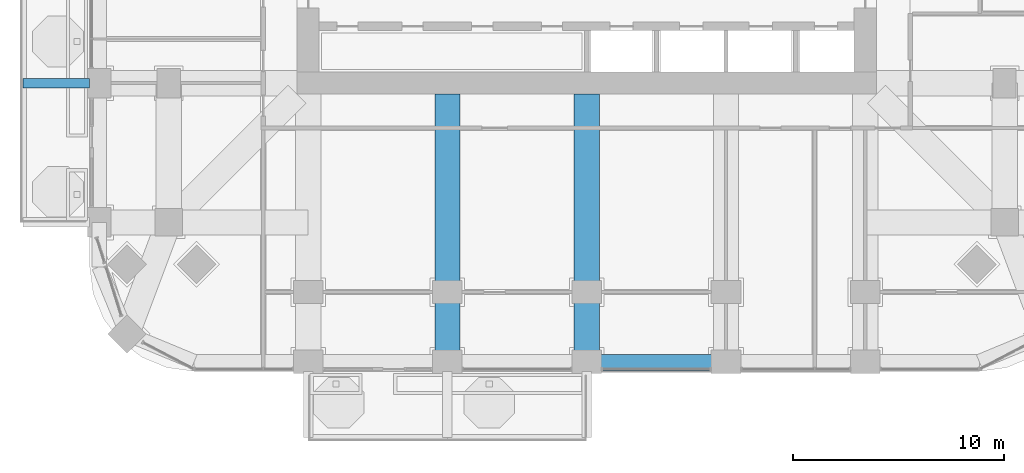
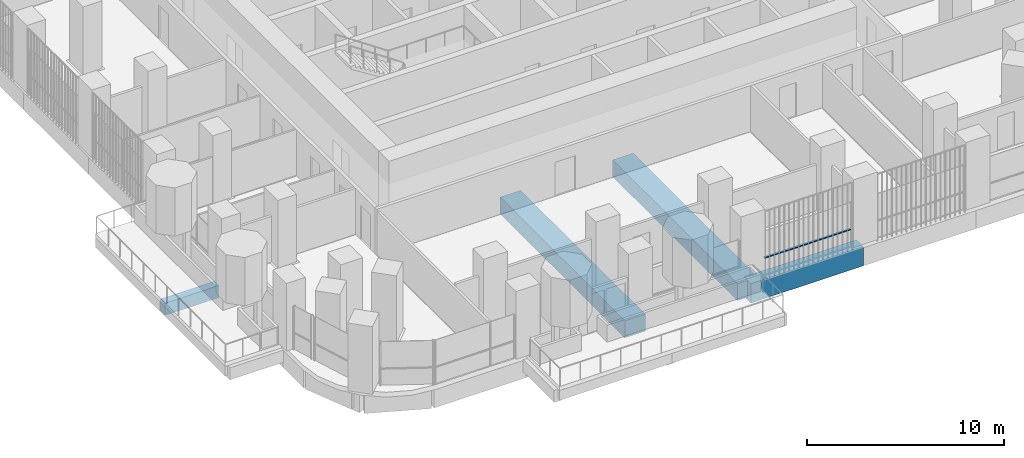
# One storey, part 3 of 21: 4 beams, 1 member, 1 element without a shape of its own.
"""IFC4 building model written with IfcOpenShell, lengths in metres."""

from ifc_helpers import new_model, si_unit, direction, frame, origin, origin_2d, place, context, subcontext, project, spatial, rectangle, extrude, material, material_profile, profile_set, type_object, element, aggregate, save


model = new_model("IFC4")

# Units and contexts
model_context = context("Model", 3, precision=1e-05, world=origin(), true_north=direction((0.0, 1.0)))
body_context = subcontext(model_context, "Body", "Model", "MODEL_VIEW")
ifc_project = project(units=[si_unit("LENGTHUNIT", "METRE"), si_unit("AREAUNIT", "SQUARE_METRE"), si_unit("VOLUMEUNIT", "CUBIC_METRE"), si_unit("PLANEANGLEUNIT", "RADIAN"), si_unit("MASSUNIT", "GRAM", prefix="KILO")], contexts=[model_context])

# Site, building, storey
site_placement = place(None, origin())
site = spatial("IfcSite", under=ifc_project, at=site_placement, CompositionType="ELEMENT")
building_placement = place(site_placement, origin())
building = spatial("IfcBuilding", under=site, at=building_placement, Name="Cobogo Forest Laboratory Tower", CompositionType="ELEMENT")
storey_placement = place(building_placement, frame((0.0, 0.0, 124.199951171875)))
storey = spatial("IfcBuildingStorey", under=building, at=storey_placement, Name="L28", CompositionType="ELEMENT", Elevation=124.199951171875)

# Beams
ifc_material_1 = material(Name="Concrete HA-40 (C40/50)", Category="concrete")
ifc_material_profile_1 = material_profile(ifc_material_1, rectangle(XDim=0.449951171875, YDim=0.75, at=origin_2d()), Name="RC 450x750")
ifc_profile_set_1 = profile_set([ifc_material_profile_1], Name="Concrete HA-40 (C40/50)")
beam_type_1 = type_object("IfcBeamType", Name="Balcony cantilever beam 450x750", PredefinedType="BEAM", material=ifc_profile_set_1)
beam_1_placement = place(storey_placement, frame((2.85009765625, 13.199951171875, -0.625), z_axis=(-1.0, 0.0, 0.0), x_axis=(0.0, -1.0, 0.0)))
element("IfcBeam", 1, at=beam_1_placement, inside=storey, type_object=beam_type_1, Name="CB1 BAL-W1-C2 L28", PredefinedType="BEAM", context=body_context, shape_type="SweptSolid", body=[
    extrude(rectangle(XDim=0.449951171875, YDim=0.75, at=origin_2d()), origin(), (0.0, 0.0, 1.0), 3.150146484375),
])
ifc_material_profile_2 = material_profile(ifc_material_1, rectangle(XDim=1.199951171875, YDim=1.050048828125, at=origin_2d()), Name="RC 1200x1050")
ifc_profile_set_2 = profile_set([ifc_material_profile_2], Name="Concrete HA-40 (C40/50)")
beam_type_2 = type_object("IfcBeamType", Name="Laboratory floor wide beam 1200x1050", PredefinedType="BEAM", material=ifc_profile_set_2)
for number, where, z_axis, x_axis, name in (
    (2, (19.800048828125, 12.675048828125, -0.824951171875), (0.0, -1.0, 0.0), (1.0, 0.0, 0.0), "RB1 R-4-S L28"),
    (3, (26.39990234375, 12.675048828125, -0.824951171875), (0.0, -1.0, 0.0), (1.0, 0.0, 0.0), "RB1 R-5-S L28"),
):
    element("IfcBeam", number, at=place(storey_placement, frame(where, z_axis=z_axis, x_axis=x_axis)), inside=storey, type_object=beam_type_2, Name=name, PredefinedType="BEAM", context=body_context, shape_type="SweptSolid", body=[
        extrude(rectangle(XDim=1.199951171875, YDim=1.050048828125, at=origin_2d()), origin(), (0.0, 0.0, 1.0), 12.675048828125),
    ])
ifc_material_profile_3 = material_profile(ifc_material_1, rectangle(XDim=0.699951171875, YDim=1.199951171875, at=origin_2d()), Name="RC 700x1200")
ifc_profile_set_3 = profile_set([ifc_material_profile_3], Name="Concrete HA-40 (C40/50)")
beam_type_3 = type_object("IfcBeamType", Name="Perimeter edge beam 700x1200", PredefinedType="BEAM", material=ifc_profile_set_3)
beam_2_placement = place(storey_placement, frame((26.39990234375, 0.0, -0.89990234375), z_axis=(1.0, 0.0, 0.0), x_axis=(0.0, 1.0, 0.0)))
element("IfcBeam", 4, at=beam_2_placement, inside=storey, type_object=beam_type_3, Name="EB1 E-S3 L28", PredefinedType="BEAM", context=body_context, shape_type="SweptSolid", body=[
    extrude(rectangle(XDim=0.699951171875, YDim=1.199951171875, at=origin_2d()), origin(), (0.0, 0.0, 1.0), 6.60009765625),
])

# Curtain wall, member
ifc_material_2 = material(Name="Aluminium curtain wall", Category="aluminium")
curtain_wall_type = type_object("IfcCurtainWallType", Name="CW-1 unitised curtain wall, clear glazing, laboratory floors zones A and B", PredefinedType="USERDEFINED", material=ifc_material_2)
curtain_wall_placement = place(storey_placement, origin())
curtain_wall = element("IfcCurtainWall", 5, at=curtain_wall_placement, inside=storey, type_object=curtain_wall_type, Name="Curtain wall 04 L28", ObjectType="UNITISED CURTAIN WALL", PredefinedType="USERDEFINED")
ifc_material_3 = material(Name="Aluminium transom", Category="aluminium")
ifc_material_profile_4 = material_profile(ifc_material_3, rectangle(XDim=0.1201171875, YDim=0.06005859375, at=origin_2d()), Name="AL 60x120")
ifc_profile_set_4 = profile_set([ifc_material_profile_4], Name="Aluminium transom")
member_type = type_object("IfcMemberType", Name="TR-1 aluminium transom 60x120", PredefinedType="USERDEFINED", material=ifc_profile_set_4)
member_placement = place(storey_placement, frame((27.159912109375, -0.35009765625, 1.050048828125), z_axis=(1.0, 0.0, 0.0), x_axis=(0.0, 1.0, 0.0)))
member = element("IfcMember", 6, at=member_placement, type_object=member_type, Name="CW-1 transom 1.1", ObjectType="TRANSOM", PredefinedType="USERDEFINED", context=body_context, shape_type="SweptSolid", body=[
    extrude(rectangle(XDim=0.1201171875, YDim=0.06005859375, at=origin_2d()), origin(), (0.0, 0.0, 1.0), 5.080078125),
])
aggregate(curtain_wall, [member])

save(model, "model.ifc")
